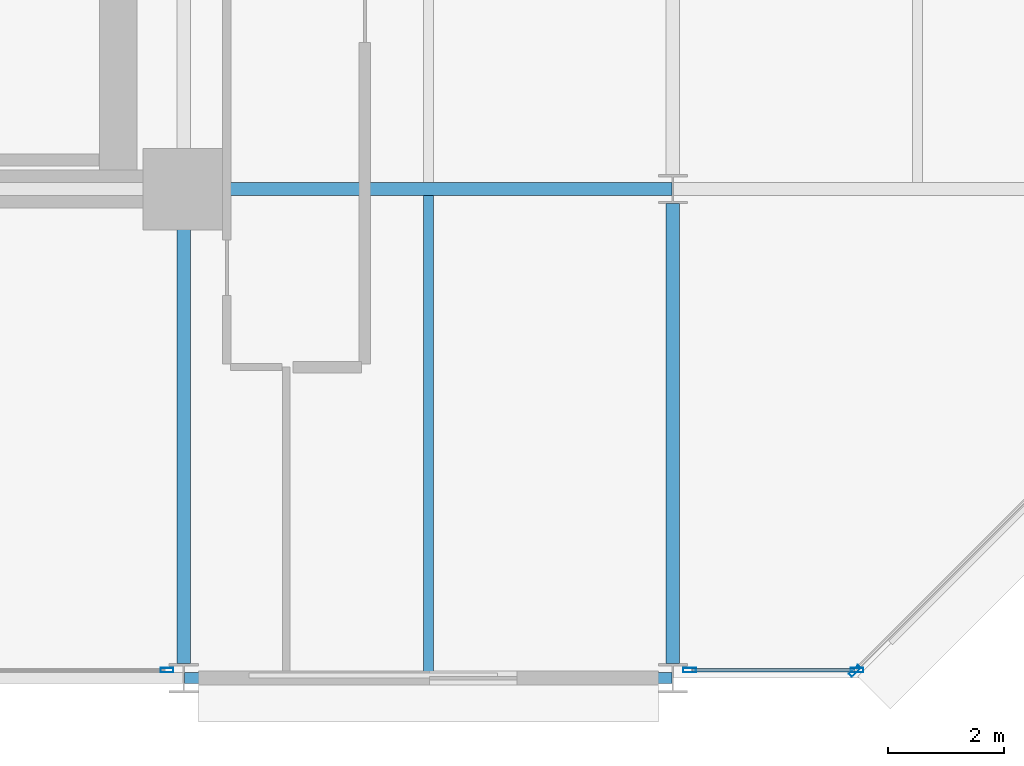
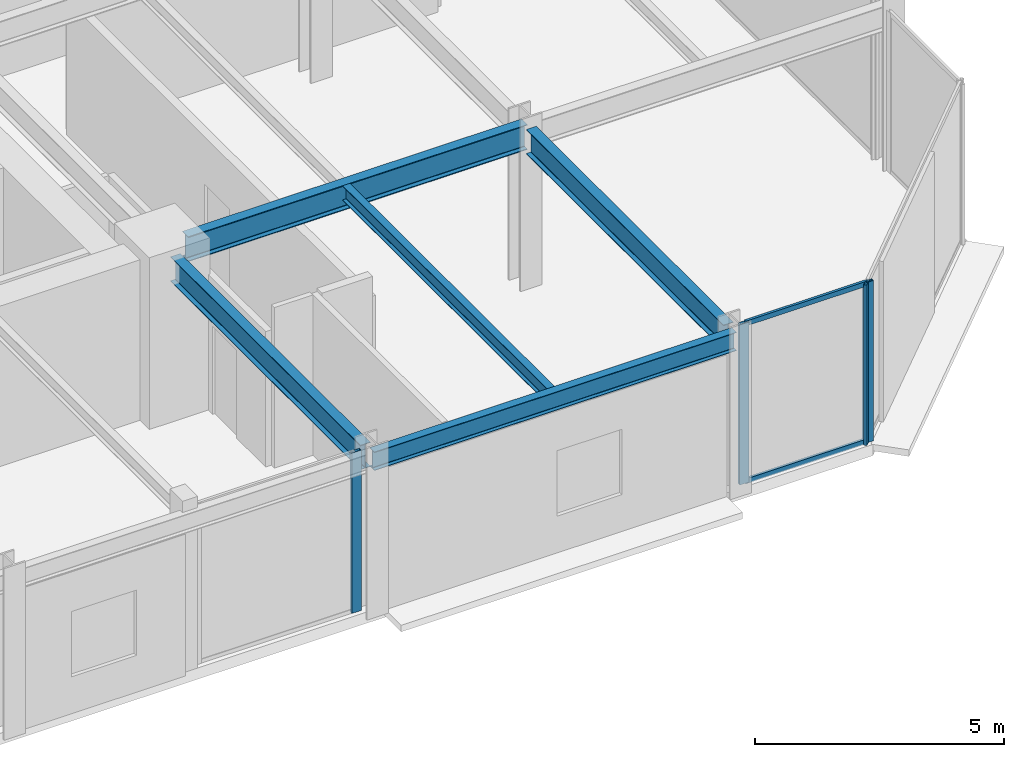
# One storey, part 9 of 25: 6 members, 5 beams, 3 elements without a shape of their own.
"""IFC4 building model written with IfcOpenShell, lengths in metres."""

from ifc_helpers import new_model, si_unit, direction, frame, origin, origin_2d, place, context, subcontext, project, spatial, hollow_rectangle, i_section, extrude, material, layer, layer_set, material_profile, profile_set, type_object, element, aggregate, save


model = new_model("IFC4")

# Units and contexts
model_context = context("Model", 3, precision=1e-05, world=origin(), true_north=direction((0.0, 1.0)))
body_context = subcontext(model_context, "Body", "Model", "MODEL_VIEW")
ifc_project = project(units=[si_unit("LENGTHUNIT", "METRE"), si_unit("AREAUNIT", "SQUARE_METRE"), si_unit("VOLUMEUNIT", "CUBIC_METRE"), si_unit("PLANEANGLEUNIT", "RADIAN"), si_unit("MASSUNIT", "GRAM", prefix="KILO")], contexts=[model_context])

# Site, building, storey
site_placement = place(None, origin())
site = spatial("IfcSite", under=ifc_project, at=site_placement, CompositionType="ELEMENT")
building_placement = place(site_placement, origin())
building = spatial("IfcBuilding", under=site, at=building_placement, Name="Nerrivon Quay Data Exchange", CompositionType="ELEMENT")
storey_placement = place(building_placement, frame((0.0, 0.0, 24.800048828125)))
storey = spatial("IfcBuildingStorey", under=building, at=storey_placement, Name="L05", CompositionType="ELEMENT", Elevation=24.800048828125)

# Beams
ifc_material_1 = material(Name="Steel Grade 350", Category="steel")
ifc_material_profile_1 = material_profile(ifc_material_1, i_section(OverallWidth=0.22900390625, OverallDepth=0.612060546875, WebThickness=0.011962890625, FlangeThickness=0.01953125, FilletRadius=0.013916015625, at=origin_2d()), Name="610UB125")
ifc_profile_set_1 = profile_set([ifc_material_profile_1], Name="Steel Grade 350")
beam_type_1 = type_object("IfcBeamType", Name="BM-G1-610UB125", PredefinedType="BEAM", material=ifc_profile_set_1)
beam_1_placement = place(storey_placement, frame((34.139892578125, 8.39990234375, 3.618896484375), z_axis=(1.0, 0.0, 0.0), x_axis=(0.0, 1.0, 0.0)))
element("IfcBeam", 1, at=beam_1_placement, inside=storey, type_object=beam_type_1, Name="L05 EW Girder Y=8.4 (33.6..42.0)", PredefinedType="BEAM", context=body_context, shape_type="SweptSolid", body=[
    extrude(i_section(OverallWidth=0.22900390625, OverallDepth=0.612060546875, WebThickness=0.011962890625, FlangeThickness=0.01953125, FilletRadius=0.013916015625, at=origin_2d()), origin(), (0.0, 0.0, 1.0), 7.84619140625),
])
ifc_material_profile_2 = material_profile(ifc_material_1, i_section(OverallWidth=0.22802734375, OverallDepth=0.60205078125, WebThickness=0.010498046875, FlangeThickness=0.014892578125, FilletRadius=0.013916015625, at=origin_2d()), Name="610UB101")
ifc_profile_set_2 = profile_set([ifc_material_profile_2], Name="Steel Grade 350")
beam_type_2 = type_object("IfcBeamType", Name="BM-G2-610UB101", PredefinedType="BEAM", material=ifc_profile_set_2)
beam_2_placement = place(storey_placement, frame((33.60009765625, 0.25, 3.6240234375), z_axis=(0.0, 1.0, 0.0), x_axis=(-1.0, 0.0, 0.0)))
element("IfcBeam", 2, at=beam_2_placement, inside=storey, type_object=beam_type_2, Name="L05 NS Girder X=33.6 (0.0..8.4)", PredefinedType="BEAM", context=body_context, shape_type="SweptSolid", body=[
    extrude(i_section(OverallWidth=0.22802734375, OverallDepth=0.60205078125, WebThickness=0.010498046875, FlangeThickness=0.014892578125, FilletRadius=0.013916015625, at=origin_2d()), origin(), (0.0, 0.0, 1.0), 7.610107421875),
])
beam_3_placement = place(storey_placement, frame((42.0, 0.25, 3.6240234375), z_axis=(0.0, 1.0, 0.0), x_axis=(-1.0, 0.0, 0.0)))
element("IfcBeam", 3, at=beam_3_placement, inside=storey, type_object=beam_type_2, Name="L05 NS Girder X=42.0 (0.0..8.4)", PredefinedType="BEAM", context=body_context, shape_type="SweptSolid", body=[
    extrude(i_section(OverallWidth=0.22802734375, OverallDepth=0.60205078125, WebThickness=0.010498046875, FlangeThickness=0.014892578125, FilletRadius=0.013916015625, at=origin_2d()), origin(), (0.0, 0.0, 1.0), 7.89990234375),
])
ifc_material_profile_3 = material_profile(ifc_material_1, i_section(OverallWidth=0.172119140625, OverallDepth=0.35888671875, WebThickness=0.008056640625, FlangeThickness=0.012939453125, FilletRadius=0.011474609375, at=origin_2d()), Name="360UB56.7")
ifc_profile_set_3 = profile_set([ifc_material_profile_3], Name="Steel Grade 350")
beam_type_3 = type_object("IfcBeamType", Name="BM-J3-360UB57", PredefinedType="JOIST", material=ifc_profile_set_3)
beam_4_placement = place(storey_placement, frame((37.800048828125, 0.094970703125, 3.745361328125), z_axis=(0.0, 1.0, 0.0), x_axis=(-1.0, 0.0, 0.0)))
element("IfcBeam", 4, at=beam_4_placement, inside=storey, type_object=beam_type_3, Name="L05 Secondary Joist X=37.8 (0.0..8.4)", PredefinedType="JOIST", context=body_context, shape_type="SweptSolid", body=[
    extrude(i_section(OverallWidth=0.172119140625, OverallDepth=0.35888671875, WebThickness=0.008056640625, FlangeThickness=0.012939453125, FilletRadius=0.011474609375, at=origin_2d()), origin(), (0.0, 0.0, 1.0), 8.1904296875),
])
ifc_material_profile_4 = material_profile(ifc_material_1, i_section(OverallWidth=0.18994140625, OverallDepth=0.4541015625, WebThickness=0.008544921875, FlangeThickness=0.0126953125, FilletRadius=0.011474609375, at=origin_2d()), Name="460UB67.1")
ifc_profile_set_4 = profile_set([ifc_material_profile_4], Name="Steel Grade 350")
beam_type_4 = type_object("IfcBeamType", Name="BM-SP1-460UB67", PredefinedType="SPANDREL", material=ifc_profile_set_4)
beam_5_placement = place(storey_placement, frame((33.614013671875, 0.0, 3.697998046875), z_axis=(1.0, 0.0, 0.0), x_axis=(0.0, 1.0, 0.0)))
element("IfcBeam", 5, at=beam_5_placement, inside=storey, type_object=beam_type_4, Name="L05 EW Girder Y=0.0 (33.6..42.0)", PredefinedType="SPANDREL", context=body_context, shape_type="SweptSolid", body=[
    extrude(i_section(OverallWidth=0.18994140625, OverallDepth=0.4541015625, WebThickness=0.008544921875, FlangeThickness=0.0126953125, FilletRadius=0.011474609375, at=origin_2d()), origin(), (0.0, 0.0, 1.0), 8.3720703125),
])

# Curtain wall, member
ifc_material_2 = material(Name="Anodised aluminium 6063-T6", Category="aluminium")
ifc_layer = layer(ifc_material_2, 0.219970703125)
ifc_layer_set = layer_set([ifc_layer], Name="Anodised aluminium 6063-T6")
curtain_wall_type = type_object("IfcCurtainWallType", Name="CW-SYS-01", PredefinedType="NOTDEFINED", material=ifc_layer_set)
curtain_wall_1_placement = place(storey_placement, origin())
curtain_wall_1 = element("IfcCurtainWall", 6, at=curtain_wall_1_placement, inside=storey, type_object=curtain_wall_type, Name="L05 Unitised Curtain Wall 1", PredefinedType="NOTDEFINED")
ifc_material_profile_5 = material_profile(ifc_material_2, hollow_rectangle(XDim=0.074951171875, YDim=0.219970703125, WallThickness=0.00390625, at=origin_2d()), Name="ALU-MULL-220x75")
ifc_profile_set_5 = profile_set([ifc_material_profile_5], Name="Anodised aluminium 6063-T6")
member_type_1 = type_object("IfcMemberType", Name="CWM-220x75", PredefinedType="MULLION", material=ifc_profile_set_5)
member_1_placement = place(storey_placement, frame((45.12744140625, 0.12548828125, 0.0), z_axis=(0.0, 0.0, 1.0), x_axis=(0.707106781187, -0.707106781187, 0.0)))
member_1 = element("IfcMember", 7, at=member_1_placement, type_object=member_type_1, Name="CW01 mullion 2", PredefinedType="MULLION", context=body_context, shape_type="SweptSolid", body=[
    extrude(hollow_rectangle(XDim=0.074951171875, YDim=0.219970703125, WallThickness=0.00390625, at=origin_2d()), origin(), (0.0, 0.0, 1.0), 3.925048828125),
])
aggregate(curtain_wall_1, [member_1])

# Curtain wall, members
curtain_wall_2_placement = place(storey_placement, origin())
curtain_wall_2 = element("IfcCurtainWall", 8, at=curtain_wall_2_placement, inside=storey, type_object=curtain_wall_type, Name="L05 Unitised Curtain Wall 2", PredefinedType="NOTDEFINED")
member_2_placement = place(storey_placement, frame((45.16259765625, 0.139892578125, 0.0), z_axis=(0.0, 0.0, 1.0), x_axis=(0.0, -1.0, 0.0)))
member_2 = element("IfcMember", 9, at=member_2_placement, type_object=member_type_1, Name="CW01 mullion 1", PredefinedType="MULLION", context=body_context, shape_type="SweptSolid", body=[
    extrude(hollow_rectangle(XDim=0.074951171875, YDim=0.219970703125, WallThickness=0.00390625, at=origin_2d()), origin(), (0.0, 0.0, 1.0), 3.925048828125),
])
member_3_placement = place(storey_placement, frame((42.28759765625, 0.139892578125, 0.0), z_axis=(0.0, 0.0, 1.0), x_axis=(0.0, -1.0, 0.0)))
member_3 = element("IfcMember", 10, at=member_3_placement, type_object=member_type_1, Name="CW01 mullion 2", PredefinedType="MULLION", context=body_context, shape_type="SweptSolid", body=[
    extrude(hollow_rectangle(XDim=0.074951171875, YDim=0.219970703125, WallThickness=0.00390625, at=origin_2d()), origin(), (0.0, 0.0, 1.0), 3.925048828125),
])

# Curtain wall, member
curtain_wall_3_placement = place(storey_placement, origin())
curtain_wall_3 = element("IfcCurtainWall", 11, at=curtain_wall_3_placement, inside=storey, type_object=curtain_wall_type, Name="L05 Unitised Curtain Wall 4", PredefinedType="NOTDEFINED")
member_4_placement = place(storey_placement, frame((33.3125, 0.139892578125, 0.0), z_axis=(0.0, 0.0, 1.0), x_axis=(0.0, -1.0, 0.0)))
member_4 = element("IfcMember", 12, at=member_4_placement, type_object=member_type_1, Name="CW01 mullion 1", PredefinedType="MULLION", context=body_context, shape_type="SweptSolid", body=[
    extrude(hollow_rectangle(XDim=0.074951171875, YDim=0.219970703125, WallThickness=0.00390625, at=origin_2d()), origin(), (0.0, 0.0, 1.0), 3.925048828125),
])
aggregate(curtain_wall_3, [member_4])

# Member
ifc_material_profile_6 = material_profile(ifc_material_2, hollow_rectangle(XDim=0.06005859375, YDim=0.1201171875, WallThickness=0.003173828125, at=origin_2d()), Name="ALU-TRAN-120x60")
ifc_profile_set_6 = profile_set([ifc_material_profile_6], Name="Anodised aluminium 6063-T6")
member_type_2 = type_object("IfcMemberType", Name="CWT-120x60", PredefinedType="USERDEFINED", material=ifc_profile_set_6)
member_5_placement = place(storey_placement, frame((45.125, 0.139892578125, 0.032470703125), z_axis=(-1.0, 0.0, 0.0), x_axis=(0.0, -1.0, 0.0)))
member_5 = element("IfcMember", 13, at=member_5_placement, type_object=member_type_2, Name="CW01 transom 1.1", ObjectType="TRANSOM", PredefinedType="USERDEFINED", context=body_context, shape_type="SweptSolid", body=[
    extrude(hollow_rectangle(XDim=0.06005859375, YDim=0.1201171875, WallThickness=0.003173828125, at=origin_2d()), origin(), (0.0, 0.0, 1.0), 2.800048828125),
])

member_6_placement = place(storey_placement, frame((45.125, 0.139892578125, 3.892333984375), z_axis=(-1.0, 0.0, 0.0), x_axis=(0.0, -1.0, 0.0)))
member_6 = element("IfcMember", 14, at=member_6_placement, type_object=member_type_2, Name="CW01 transom 1.2", ObjectType="TRANSOM", PredefinedType="USERDEFINED", context=body_context, shape_type="SweptSolid", body=[
    extrude(hollow_rectangle(XDim=0.06005859375, YDim=0.1201171875, WallThickness=0.003173828125, at=origin_2d()), origin(), (0.0, 0.0, 1.0), 2.800048828125),
])

aggregate(curtain_wall_2, [member_2, member_3, member_5, member_6])

save(model, "model.ifc")
